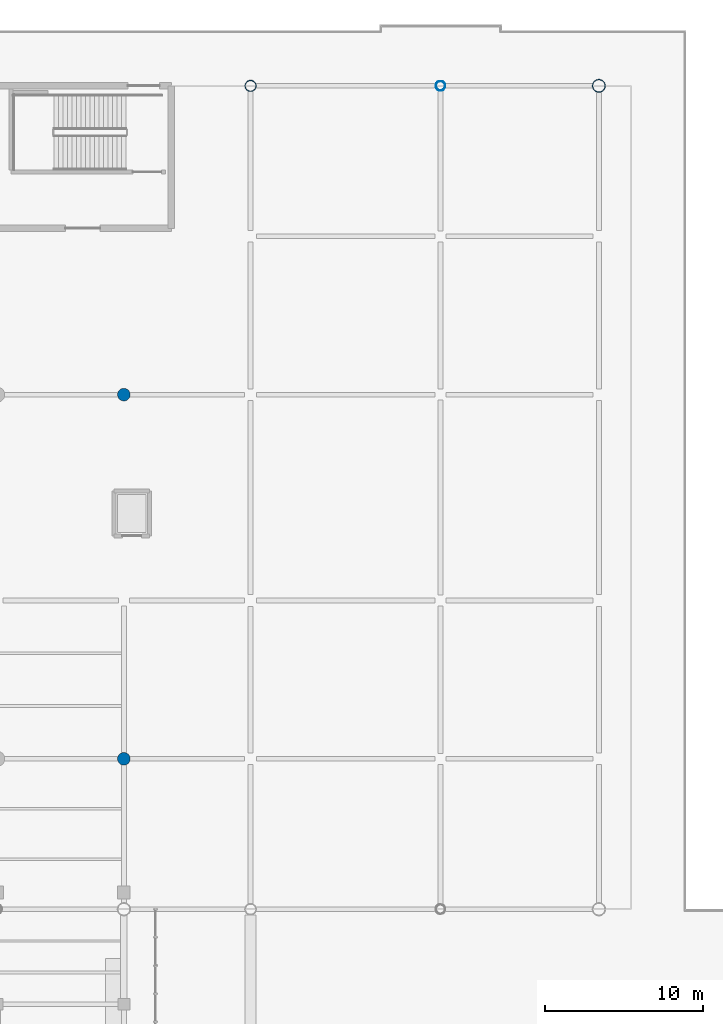
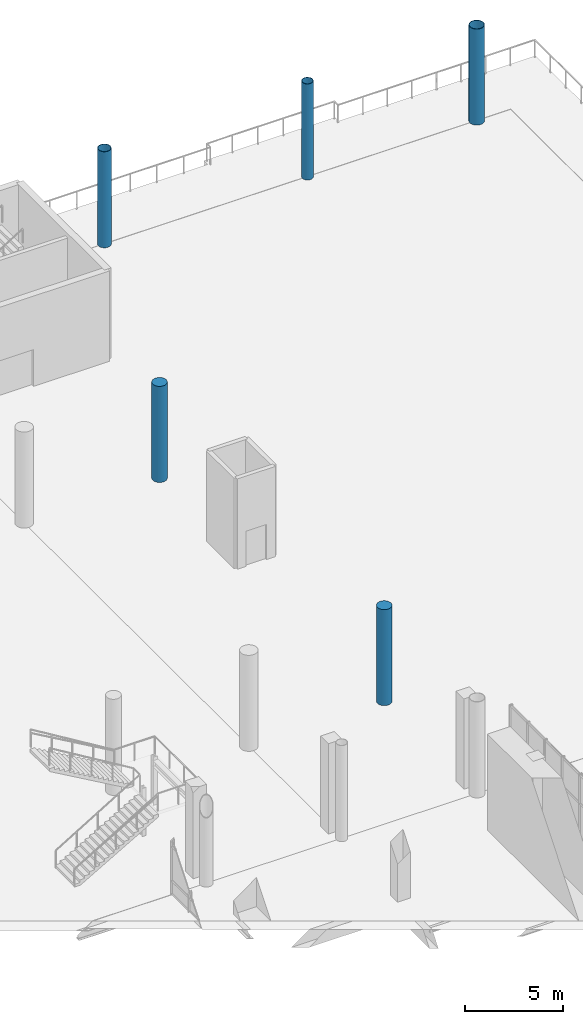
# One storey, part 27 of 163: 5 columns.
"""IFC4 building model written with IfcOpenShell, lengths in metres."""

import ifcopenshell
import ifcopenshell.guid

model = None  # the IFC model being written
_history = None  # IfcOwnerHistory: only IFC2X3 demands one
_inside = {}  # id of a spatial element -> (the spatial element, [elements in it])
_under = {}  # id of a project, library or spatial element -> (it, [spatial elements below it])
_declared = {}  # id of a project -> (the project, [libraries it declares])
_typed = {}  # id of a type object -> (the type object, [elements of that type])
_made_of = {}  # id of a material, layer set ... -> (it, [elements and type objects made of it])


def new_model(schema):
    """Start an empty IFC model of exactly this schema.

    Asked for "IFC4X3", IfcOpenShell would pick the latest addendum, in which some entities
    have other attributes; the version numbers below select the first issue.
    IFC2X3 requires an IfcOwnerHistory on every rooted entity: one is made here for all.
    """
    global model, _history
    if schema == "IFC4X3":
        model = ifcopenshell.file(schema_version=(4, 3, 0, 0))
    else:
        model = ifcopenshell.file(schema=schema)
    _inside.clear()
    _under.clear()
    _declared.clear()
    _typed.clear()
    _made_of.clear()
    _history = None
    if model.schema == "IFC2X3":
        org = make("IfcOrganization", Name="unknown")
        user = make(
            "IfcPersonAndOrganization",
            ThePerson=make("IfcPerson", FamilyName="unknown"),
            TheOrganization=org,
        )
        app = make(
            "IfcApplication",
            ApplicationDeveloper=org,
            Version="unknown",
            ApplicationFullName="unknown",
            ApplicationIdentifier="unknown",
        )
        _history = make(
            "IfcOwnerHistory",
            OwningUser=user,
            OwningApplication=app,
            ChangeAction="ADDED",
            CreationDate=0,
        )
    return model


def make(cls, **values):
    """One entity of the class cls with the attributes given. An attribute that is None is left unset."""
    return model.create_entity(
        cls, **{name: value for name, value in values.items() if value is not None}
    )


def rooted(cls, **values):
    """An entity with a GlobalId (a new one), such as an element, a storey or a relation."""
    return make(cls, GlobalId=ifcopenshell.guid.new(), OwnerHistory=_history, **values)


def si_unit(unit_type, name, prefix=None):
    """IfcSIUnit, for example si_unit("LENGTHUNIT", "METRE", prefix="MILLI")."""
    return make("IfcSIUnit", UnitType=unit_type, Prefix=prefix, Name=name)


def assignment(units):
    """IfcUnitAssignment: the units of a project."""
    return None if units is None else make("IfcUnitAssignment", Units=units)


def point(xyz):
    """IfcCartesianPoint."""
    return None if xyz is None else make("IfcCartesianPoint", Coordinates=xyz)


def direction(xyz):
    """IfcDirection."""
    return None if xyz is None else make("IfcDirection", DirectionRatios=xyz)


def frame(location, z_axis=None, x_axis=None):
    """IfcAxis2Placement3D, a coordinate frame: its origin and axes. An axis left out is left unset."""
    return make(
        "IfcAxis2Placement3D",
        Location=point(location),
        Axis=direction(z_axis),
        RefDirection=direction(x_axis),
    )


def frame_2d(location, x_axis=None):
    """IfcAxis2Placement2D, a coordinate frame in the plane: its origin and x axis."""
    return make(
        "IfcAxis2Placement2D", Location=point(location), RefDirection=direction(x_axis)
    )


def origin():
    """The frame at (0, 0, 0) with its axes left unset."""
    return frame((0.0, 0.0, 0.0))


def origin_2d():
    """The frame at (0, 0) in the plane with its x axis left unset."""
    return frame_2d((0.0, 0.0))


def place(relative_to, where):
    """IfcLocalPlacement: puts the frame where relative to a parent placement (None: the world)."""
    return make(
        "IfcLocalPlacement", PlacementRelTo=relative_to, RelativePlacement=where
    )


def context(
    kind, dimensions, precision=None, world=None, true_north=None, identifier=None
):
    """IfcGeometricRepresentationContext, for example the 3D "Model" context."""
    return make(
        "IfcGeometricRepresentationContext",
        ContextIdentifier=identifier,
        ContextType=kind,
        CoordinateSpaceDimension=dimensions,
        Precision=precision,
        WorldCoordinateSystem=world,
        TrueNorth=true_north,
    )


def subcontext(parent, identifier, kind, view, scale=None):
    """IfcGeometricRepresentationSubContext, for example "Body" below "Model"."""
    return make(
        "IfcGeometricRepresentationSubContext",
        ContextIdentifier=identifier,
        ContextType=kind,
        ParentContext=parent,
        TargetScale=scale,
        TargetView=view,
    )


def project(units=None, contexts=None):
    """IfcProject with its units and contexts."""
    return rooted(
        "IfcProject",
        Name="project",
        RepresentationContexts=contexts,
        UnitsInContext=assignment(units),
    )


def spatial(cls, under=None, at=None, **own):
    """A site, building, storey or space (cls), placed at a placement, below another one or the project."""
    s = rooted(cls, ObjectPlacement=at, **own)
    if under is not None:
        _under.setdefault(under.id(), (under, []))[1].append(s)
    return s


def profile(cls, at=None, kind="AREA", **sizes):
    """A parametric profile (cls). Its sizes go by their IFC names, for example OverallWidth=200.0."""
    return make(cls, ProfileType=kind, Position=at, **sizes)


def circle(**sizes):
    """IfcCircleProfileDef."""
    return profile("IfcCircleProfileDef", **sizes)


def hollow_circle(**sizes):
    """IfcCircleHollowProfileDef."""
    return profile("IfcCircleHollowProfileDef", **sizes)


def extrude(swept, where, along, depth):
    """IfcExtrudedAreaSolid: the profile swept, set in the frame where, extruded along a direction by depth."""
    return make(
        "IfcExtrudedAreaSolid",
        SweptArea=swept,
        Position=where,
        ExtrudedDirection=direction(along),
        Depth=depth,
    )


def shape(context_of_items, identifier, shape_type, items):
    """IfcShapeRepresentation: the items that make up one representation, for example the "Body"."""
    return make(
        "IfcShapeRepresentation",
        ContextOfItems=context_of_items,
        RepresentationIdentifier=identifier,
        RepresentationType=shape_type,
        Items=items,
    )


def material(Name=None, Category=None):
    """IfcMaterial."""
    return make("IfcMaterial", Name=Name, Category=Category)


def material_profile(
    of_material, cross_section, Name=None, Category=None, Priority=None
):
    """IfcMaterialProfile: a cross section and its material."""
    return make(
        "IfcMaterialProfile",
        Name=Name,
        Material=of_material,
        Profile=cross_section,
        Priority=Priority,
        Category=Category,
    )


def profile_set(profiles, Name=None, composite=None):
    """IfcMaterialProfileSet."""
    return make(
        "IfcMaterialProfileSet",
        Name=Name,
        MaterialProfiles=profiles,
        CompositeProfile=composite,
    )


def made_of(thing, what):
    """Note that an element or type object is made of a material, layer set ...; save() writes the relation."""
    if what is not None:
        _made_of.setdefault(what.id(), (what, []))[1].append(thing)
    return thing


def type_object(cls, material=None, **own):
    """A type object (cls), such as IfcWallType, which elements share."""
    return made_of(rooted(cls, **own), material)


def element(
    cls,
    number,
    at=None,
    inside=None,
    cuts=None,
    type_object=None,
    material=None,
    context=None,
    identifier="Body",
    shape_type=None,
    held_by="IfcProductDefinitionShape",
    body=None,
    shapes=None,
    **own,
):
    """One element of the class cls, such as IfcWall. Its Tag is "e" and its number.

    at: its placement. inside: the storey or other place that contains it. cuts: it is an
    opening in that element (IfcRelVoidsElement). A single representation is given by context,
    identifier, shape_type and body (its items); several are given by shapes. held_by: the class
    of the entity that holds the representations. save() writes the other relations.
    """
    e = rooted(cls, Tag="e%d" % number, ObjectPlacement=at, **own)
    if body is not None:
        shapes = [shape(context, identifier, shape_type, body)]
    if shapes is not None:
        e.Representation = make(held_by, Representations=shapes)
    if inside is not None:
        _inside.setdefault(inside.id(), (inside, []))[1].append(e)
    if cuts is not None:
        rooted(
            "IfcRelVoidsElement", RelatingBuildingElement=cuts, RelatedOpeningElement=e
        )
    if type_object is not None:
        _typed.setdefault(type_object.id(), (type_object, []))[1].append(e)
    return made_of(e, material)


def aggregate(whole, parts):
    """IfcRelAggregates: a whole, such as a stair, and the parts it consists of."""
    return rooted("IfcRelAggregates", RelatingObject=whole, RelatedObjects=parts)


def save(model, path):
    """Write the relations noted so far, then the file.

    IfcRelAggregates (storeys below a building ...), IfcRelContainedInSpatialStructure (elements
    in a storey), IfcRelDefinesByType, IfcRelAssociatesMaterial and IfcRelDeclares: one each for
    every whole, place, type object, material and project.
    """
    for whole, parts in _under.values():
        aggregate(whole, parts)
    for where, things in _inside.values():
        rooted(
            "IfcRelContainedInSpatialStructure",
            RelatedElements=things,
            RelatingStructure=where,
        )
    for kind, things in _typed.values():
        rooted("IfcRelDefinesByType", RelatedObjects=things, RelatingType=kind)
    for what, things in _made_of.values():
        rooted("IfcRelAssociatesMaterial", RelatedObjects=things, RelatingMaterial=what)
    for by, libraries in _declared.values():
        rooted("IfcRelDeclares", RelatingContext=by, RelatedDefinitions=libraries)
    model.write(path)


model = new_model("IFC4")

# Units and contexts
model_context = context("Model", 3, precision=1e-05, world=origin(), true_north=direction((0.0, 1.0)))
body_context = subcontext(model_context, "Body", "Model", "MODEL_VIEW")
ifc_project = project(units=[si_unit("LENGTHUNIT", "METRE"), si_unit("AREAUNIT", "SQUARE_METRE"), si_unit("VOLUMEUNIT", "CUBIC_METRE"), si_unit("PLANEANGLEUNIT", "RADIAN"), si_unit("MASSUNIT", "GRAM", prefix="KILO")], contexts=[model_context])

# Site, building, storey
site_placement = place(None, origin())
site = spatial("IfcSite", under=ifc_project, at=site_placement, CompositionType="ELEMENT")
building_placement = place(site_placement, origin())
building = spatial("IfcBuilding", under=site, at=building_placement, Name="Khorjan Park Terminus", CompositionType="ELEMENT")
storey_placement = place(building_placement, origin())
storey = spatial("IfcBuildingStorey", under=building, at=storey_placement, Name="L00", CompositionType="ELEMENT", Elevation=0.0)

# Columns
ifc_material_1 = material(Name="Concrete C40/50", Category="concrete")
ifc_material_profile_1 = material_profile(ifc_material_1, circle(Radius=0.4, at=origin_2d()), Name="RC D800")
ifc_profile_set_1 = profile_set([ifc_material_profile_1], Name="Concrete C40/50")
column_type_1 = type_object("IfcColumnType", Name="COL-RD800", PredefinedType="COLUMN", material=ifc_profile_set_1)
for number, where, z_axis, x_axis, name in (
    (1, (128.0, 111.5, 0.0), (0.0, 0.0, 1.0), (1.0, 0.0, 0.0), "Structural column C-RD80 (L00 #190)"),
    (2, (128.0, 134.5, 0.0), (0.0, 0.0, 1.0), (1.0, 0.0, 0.0), "Structural column C-RD80 (L00 #193)"),
):
    element("IfcColumn", number, at=place(storey_placement, frame(where, z_axis=z_axis, x_axis=x_axis)), inside=storey, type_object=column_type_1, Name=name, PredefinedType="COLUMN", context=body_context, shape_type="SweptSolid", body=[
        extrude(circle(Radius=0.4, at=origin_2d()), origin(), (0.0, 0.0, 1.0), 6.0),
    ])
ifc_material_2 = material(Name="Steel S355", Category="steel")
ifc_material_profile_2 = material_profile(ifc_material_2, hollow_circle(Radius=0.305, WallThickness=0.02, at=origin_2d()), Name="CHS 610x20")
ifc_profile_set_2 = profile_set([ifc_material_profile_2], Name="Steel S355")
column_type_2 = type_object("IfcColumnType", Name="COL-SH610E", PredefinedType="COLUMN", material=ifc_profile_set_2)
column_1_placement = place(storey_placement, frame((148.0, 154.0, 0.0), z_axis=(0.0, 0.0, 1.0), x_axis=(1.0, 0.0, 0.0)))
element("IfcColumn", 3, at=column_1_placement, inside=storey, type_object=column_type_2, Name="Structural column SC-61 (L00 #211)", PredefinedType="COLUMN", context=body_context, shape_type="SweptSolid", body=[
    extrude(hollow_circle(Radius=0.305, WallThickness=0.02, at=origin_2d()), origin(), (0.0, 0.0, 1.0), 6.0),
])
ifc_material_profile_3 = material_profile(ifc_material_2, hollow_circle(Radius=0.3555, WallThickness=0.025, at=origin_2d()), Name="CHS 711x25")
ifc_profile_set_3 = profile_set([ifc_material_profile_3], Name="Steel S355")
column_type_3 = type_object("IfcColumnType", Name="COL-SH711E", PredefinedType="COLUMN", material=ifc_profile_set_3)
column_2_placement = place(storey_placement, frame((136.0, 154.0, 0.0), z_axis=(0.0, 0.0, 1.0), x_axis=(1.0, 0.0, 0.0)))
element("IfcColumn", 4, at=column_2_placement, inside=storey, type_object=column_type_3, Name="Structural column SC-71 (L00 #199)", PredefinedType="COLUMN", context=body_context, shape_type="SweptSolid", body=[
    extrude(hollow_circle(Radius=0.3555, WallThickness=0.025, at=origin_2d()), origin(), (0.0, 0.0, 1.0), 6.0),
])
ifc_material_profile_4 = material_profile(ifc_material_2, hollow_circle(Radius=0.4065, WallThickness=0.025, at=origin_2d()), Name="CHS 813x25")
ifc_profile_set_4 = profile_set([ifc_material_profile_4], Name="Steel S355")
column_type_4 = type_object("IfcColumnType", Name="COL-SH813E", PredefinedType="COLUMN", material=ifc_profile_set_4)
column_3_placement = place(storey_placement, frame((158.0, 154.0, 0.0), z_axis=(0.0, 0.0, 1.0), x_axis=(1.0, 0.0, 0.0)))
element("IfcColumn", 5, at=column_3_placement, inside=storey, type_object=column_type_4, Name="Structural column SC-81 (L00 #223)", PredefinedType="COLUMN", context=body_context, shape_type="SweptSolid", body=[
    extrude(hollow_circle(Radius=0.4065, WallThickness=0.025, at=origin_2d()), origin(), (0.0, 0.0, 1.0), 6.0),
])

save(model, "model.ifc")
